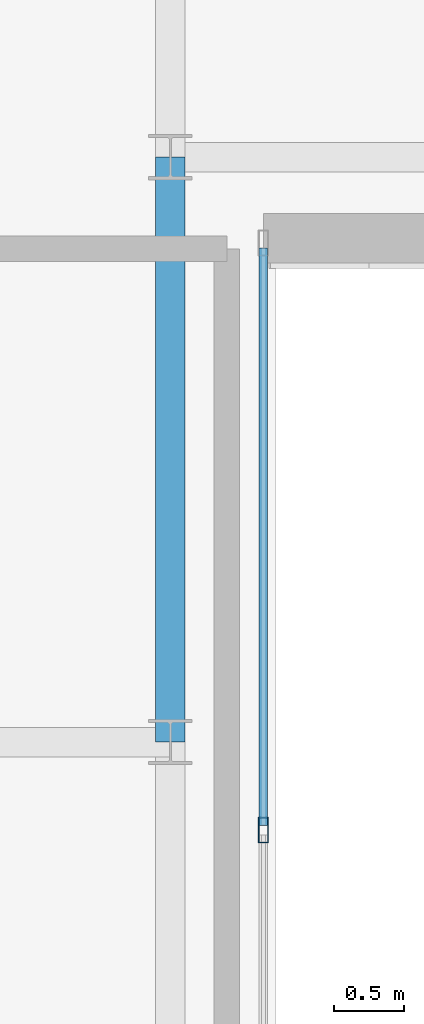
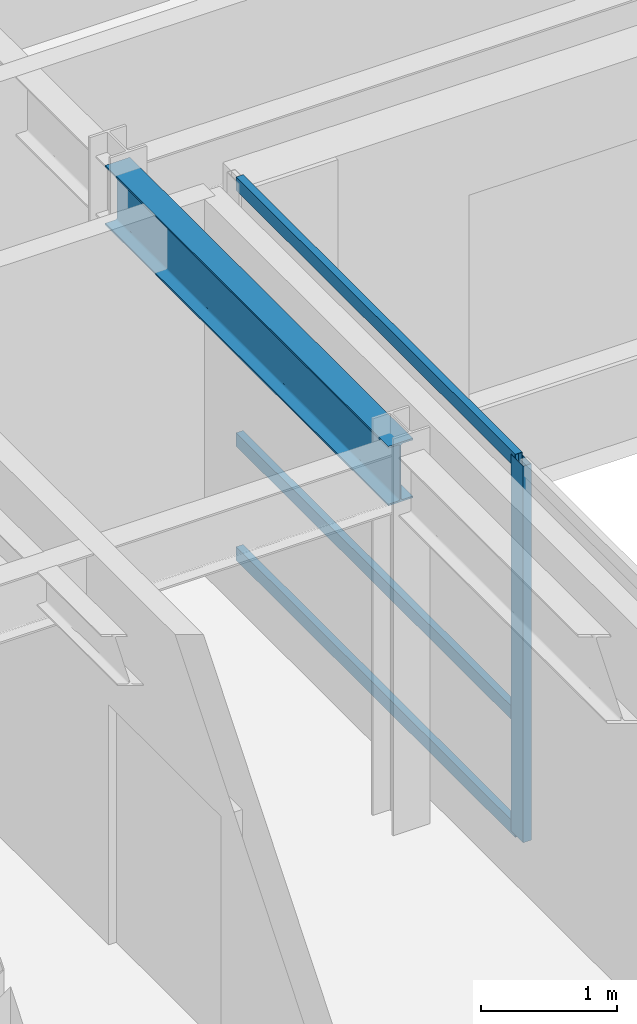
# One storey, part 6 of 21: 4 members, 1 beam, 1 element without a shape of its own.
"""IFC4 building model written with IfcOpenShell, lengths in metres."""

from ifc_helpers import new_model, si_unit, direction, frame, origin, origin_2d, place, context, subcontext, project, spatial, hollow_rectangle, i_section, extrude, source, transform, mapped, material, layer, layer_set, material_profile, profile_set, type_object, type_shapes, element, aggregate, save


model = new_model("IFC4")

# Units and contexts
model_context = context("Model", 3, precision=1e-05, world=origin(), true_north=direction((0.0, 1.0)))
body_context = subcontext(model_context, "Body", "Model", "MODEL_VIEW")
ifc_project = project(units=[si_unit("LENGTHUNIT", "METRE"), si_unit("AREAUNIT", "SQUARE_METRE"), si_unit("VOLUMEUNIT", "CUBIC_METRE"), si_unit("PLANEANGLEUNIT", "RADIAN"), si_unit("MASSUNIT", "GRAM", prefix="KILO")], contexts=[model_context])

# Site, building, storey
site_placement = place(None, origin())
site = spatial("IfcSite", under=ifc_project, at=site_placement, CompositionType="ELEMENT")
building_placement = place(site_placement, origin())
building = spatial("IfcBuilding", under=site, at=building_placement, Name="Tolvann Quenvar Hotel", CompositionType="ELEMENT")
storey_placement = place(building_placement, frame((0.0, 0.0, 262.949951171875)))
storey = spatial("IfcBuildingStorey", under=building, at=storey_placement, Name="L70", CompositionType="ELEMENT", Elevation=262.949951171875)

# Beam
ifc_material_1 = material(Name="Steel Grade 350", Category="steel")
ifc_material_profile_1 = material_profile(ifc_material_1, i_section(OverallWidth=0.208984375, OverallDepth=0.532958984375, WebThickness=0.01025390625, FlangeThickness=0.015625, FilletRadius=0.013916015625, at=origin_2d()), Name="530UB92")
ifc_profile_set_1 = profile_set([ifc_material_profile_1], Name="Steel Grade 350")
beam_type = type_object("IfcBeamType", Name="BM_GIRD_530UB92", PredefinedType="BEAM", material=ifc_profile_set_1)
shared_shape_1 = source(origin(), body_context, "Body", "SweptSolid", [
    extrude(i_section(OverallWidth=0.208984375, OverallDepth=0.532958984375, WebThickness=0.01025390625, FlangeThickness=0.015625, FilletRadius=0.013916015625, at=origin_2d()), origin(), (0.0, 0.0, 1.0), 4.14990234375),
])
type_shapes(beam_type, [shared_shape_1])
beam_placement = place(storey_placement, frame((14.449951171875, 16.0, 3.103515625), z_axis=(0.0, 1.0, 0.0), x_axis=(-1.0, 0.0, 0.0)))
element("IfcBeam", 1, at=beam_placement, inside=storey, type_object=beam_type, Name="BM-L70-NS-D4-D4P", PredefinedType="BEAM", context=body_context, shape_type="MappedRepresentation", body=[
    mapped(shared_shape_1, transform((0.0, 0.0, 0.0), x_axis=(1.0, 0.0, 0.0), y_axis=(0.0, 1.0, 0.0), z_axis=(0.0, 0.0, 1.0), scale=1.0)),
])

# Curtain wall, members
ifc_material_2 = material(Name="Thermally broken anodised architectural aluminium 6063-T6 and laminated low-E glass", Category="aluminium")
ifc_layer = layer(ifc_material_2, 0.179931640625)
ifc_layer_set = layer_set([ifc_layer], Name="Thermally broken anodised architectural aluminium 6063-T6 and laminated low-E glass")
curtain_wall_type = type_object("IfcCurtainWallType", Name="CW_SYS_PORTAL_05", PredefinedType="USERDEFINED", material=ifc_layer_set)
curtain_wall_placement = place(storey_placement, origin())
curtain_wall = element("IfcCurtainWall", 2, at=curtain_wall_placement, inside=storey, type_object=curtain_wall_type, Name="Curtain Wall CW-PORTAL-05 (CWR-L70-E05)", ObjectType="UNITISED CURTAIN WALL", PredefinedType="USERDEFINED")
ifc_material_3 = material(Name="Anodised architectural aluminium 6063-T6 framing", Category="aluminium")
ifc_material_profile_2 = material_profile(ifc_material_3, hollow_rectangle(XDim=0.070068359375, YDim=0.179931640625, WallThickness=0.00390625, at=origin_2d()), Name="180x70x4RHS")
ifc_profile_set_2 = profile_set([ifc_material_profile_2], Name="Anodised architectural aluminium 6063-T6 framing")
member_type_1 = type_object("IfcMemberType", Name="CW_MULL_180x70", PredefinedType="MULLION", material=ifc_profile_set_2)
shared_shape_2 = source(origin(), body_context, "Body", "SweptSolid", [
    extrude(hollow_rectangle(XDim=0.070068359375, YDim=0.179931640625, WallThickness=0.00390625, at=origin_2d()), origin(), (0.0, 0.0, 1.0), 3.3701171875),
])
type_shapes(member_type_1, [shared_shape_2])
member_1_placement = place(storey_placement, frame((15.110107421875, 15.375, 0.0), z_axis=(0.0, 0.0, 1.0), x_axis=(-1.0, 0.0, 0.0)))
member_1 = element("IfcMember", 3, at=member_1_placement, type_object=member_type_1, Name="CW-PORTAL-05 mullion 4", PredefinedType="MULLION", context=body_context, shape_type="MappedRepresentation", body=[
    mapped(shared_shape_2, transform((0.0, 0.0, 0.0), x_axis=(1.0, 0.0, 0.0), y_axis=(0.0, 1.0, 0.0), z_axis=(0.0, 0.0, 1.0), scale=1.0)),
])
ifc_material_profile_3 = material_profile(ifc_material_3, hollow_rectangle(XDim=0.06005859375, YDim=0.1201171875, WallThickness=0.00341796875, at=origin_2d()), Name="120x60x3.5RHS")
ifc_profile_set_3 = profile_set([ifc_material_profile_3], Name="Anodised architectural aluminium 6063-T6 framing")
member_type_2 = type_object("IfcMemberType", Name="CW_TRAN_120x60", PredefinedType="USERDEFINED", material=ifc_profile_set_3)
shared_shape_3 = source(origin(), body_context, "Body", "SweptSolid", [
    extrude(hollow_rectangle(XDim=0.06005859375, YDim=0.1201171875, WallThickness=0.00341796875, at=origin_2d()), origin(), (0.0, 0.0, 1.0), 4.094970703125),
])
type_shapes(member_type_2, [shared_shape_3])
member_2_placement = place(storey_placement, frame((15.110107421875, 15.409912109375, 0.030029296875), z_axis=(0.0, 1.0, 0.0), x_axis=(-1.0, 0.0, 0.0)))
member_2 = element("IfcMember", 4, at=member_2_placement, type_object=member_type_2, Name="CW-PORTAL-05 transom 4.1", ObjectType="TRANSOM", PredefinedType="USERDEFINED", context=body_context, shape_type="MappedRepresentation", body=[
    mapped(shared_shape_3, transform((0.0, 0.0, 0.0), x_axis=(1.0, 0.0, 0.0), y_axis=(0.0, 1.0, 0.0), z_axis=(0.0, 0.0, 1.0), scale=1.0)),
])
member_3_placement = place(storey_placement, frame((15.110107421875, 15.409912109375, 1.050048828125), z_axis=(0.0, 1.0, 0.0), x_axis=(-1.0, 0.0, 0.0)))
member_3 = element("IfcMember", 5, at=member_3_placement, type_object=member_type_2, Name="CW-PORTAL-05 transom 4.2", ObjectType="TRANSOM", PredefinedType="USERDEFINED", context=body_context, shape_type="MappedRepresentation", body=[
    mapped(shared_shape_3, transform((0.0, 0.0, 0.0), x_axis=(1.0, 0.0, 0.0), y_axis=(0.0, 1.0, 0.0), z_axis=(0.0, 0.0, 1.0), scale=1.0)),
])
member_4_placement = place(storey_placement, frame((15.110107421875, 15.409912109375, 3.340087890625), z_axis=(0.0, 1.0, 0.0), x_axis=(-1.0, 0.0, 0.0)))
member_4 = element("IfcMember", 6, at=member_4_placement, type_object=member_type_2, Name="CW-PORTAL-05 transom 4.3", ObjectType="TRANSOM", PredefinedType="USERDEFINED", context=body_context, shape_type="MappedRepresentation", body=[
    mapped(shared_shape_3, transform((0.0, 0.0, 0.0), x_axis=(1.0, 0.0, 0.0), y_axis=(0.0, 1.0, 0.0), z_axis=(0.0, 0.0, 1.0), scale=1.0)),
])
aggregate(curtain_wall, [member_1, member_2, member_3, member_4])

save(model, "model.ifc")
